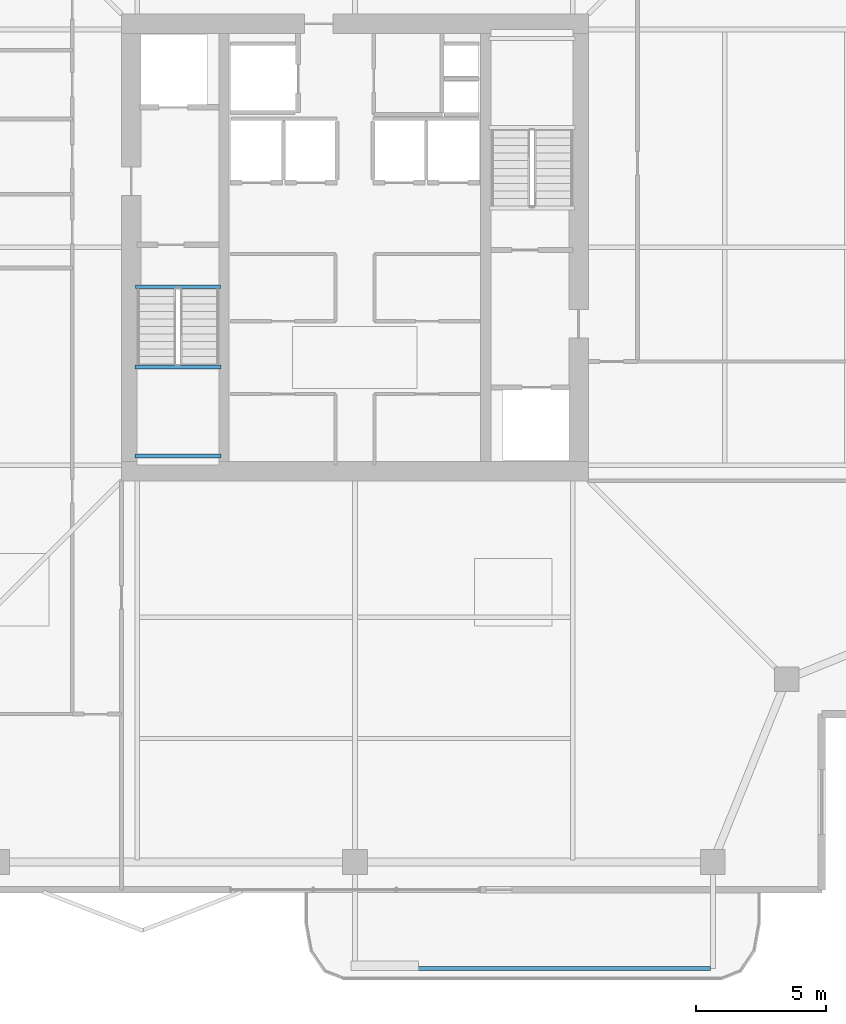
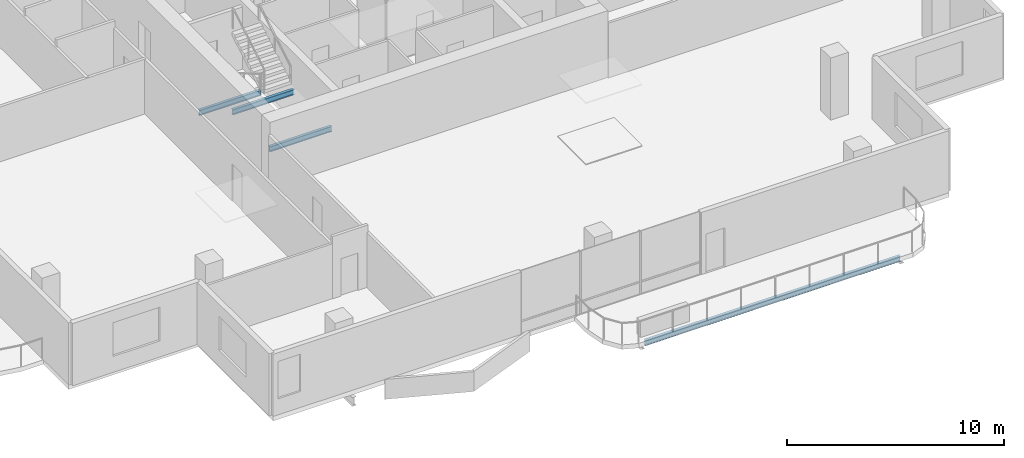
# One storey, part 7 of 24: 4 beams.
"""IFC4 building model written with IfcOpenShell, lengths in metres."""

from ifc_helpers import new_model, si_unit, direction, frame, origin, origin_2d, place, context, subcontext, project, spatial, i_section, extrude, material, material_profile, profile_set, type_object, element, save


model = new_model("IFC4")

# Units and contexts
model_context = context("Model", 3, precision=1e-05, world=origin(), true_north=direction((0.0, 1.0)))
body_context = subcontext(model_context, "Body", "Model", "MODEL_VIEW")
ifc_project = project(units=[si_unit("LENGTHUNIT", "METRE"), si_unit("AREAUNIT", "SQUARE_METRE"), si_unit("VOLUMEUNIT", "CUBIC_METRE"), si_unit("PLANEANGLEUNIT", "RADIAN"), si_unit("MASSUNIT", "GRAM", prefix="KILO")], contexts=[model_context])

# Site, building, storey
site_placement = place(None, origin())
site = spatial("IfcSite", under=ifc_project, at=site_placement, CompositionType="ELEMENT")
building_placement = place(site_placement, origin())
building = spatial("IfcBuilding", under=site, at=building_placement, Name="Belovzor Exchange Tower", CompositionType="ELEMENT")
storey_placement = place(building_placement, frame((0.0, 0.0, 261.60009765625)))
storey = spatial("IfcBuildingStorey", under=building, at=storey_placement, Name="L65", CompositionType="ELEMENT", Elevation=261.60009765625)

# Beams
ifc_material_1 = material(Name="Steel S355", Category="steel")
ifc_material_profile_1 = material_profile(ifc_material_1, i_section(OverallWidth=0.14990234375, OverallDepth=0.300048828125, WebThickness=0.007080078125, FlangeThickness=0.0107421875, at=origin_2d()))
ifc_profile_set_1 = profile_set([ifc_material_profile_1], Name="Steel S355")
beam_type_1 = type_object("IfcBeamType", Name="Planted Balcony Fascia Edge Beam IPE 300", PredefinedType="BEAM", material=ifc_profile_set_1)
beam_1_placement = place(storey_placement, frame((28.89990234375, 0.989013671875, -0.400146484375), z_axis=(1.0, 0.0, 0.0), x_axis=(0.0, 1.0, 0.0)))
element("IfcBeam", 1, at=beam_1_placement, inside=storey, type_object=beam_type_1, Name="BC-300 Planted Balcony Fascia Edge Beam IPE 300", PredefinedType="BEAM", context=body_context, shape_type="SweptSolid", body=[
    extrude(i_section(OverallWidth=0.14990234375, OverallDepth=0.300048828125, WebThickness=0.007080078125, FlangeThickness=0.0107421875, at=origin_2d()), origin(), (0.0, 0.0, 1.0), 13.60009765625),
])
ifc_material_2 = material(Name="Steel S355", Category="steel")
ifc_material_profile_2 = material_profile(ifc_material_2, i_section(OverallWidth=0.14990234375, OverallDepth=0.300048828125, WebThickness=0.007080078125, FlangeThickness=0.0107421875, at=origin_2d()))
ifc_profile_set_2 = profile_set([ifc_material_profile_2], Name="Steel S355")
beam_type_2 = type_object("IfcBeamType", Name="Secondary Trim Floor Joist IPE 300", PredefinedType="BEAM", material=ifc_profile_set_2)
for number, where, z_axis, x_axis, name in (
    (2, (20.320068359375, 24.179931640625, 1.52490234375), (1.0, 0.0, 0.0), (0.0, 1.0, 0.0), "FJ-300 Secondary Trim Floor Joist IPE 300"),
    (3, (20.320068359375, 20.75, 1.52490234375), (1.0, 0.0, 0.0), (0.0, 1.0, 0.0), "FJ-300 Secondary Trim Floor Joist IPE 300"),
):
    element("IfcBeam", number, at=place(storey_placement, frame(where, z_axis=z_axis, x_axis=x_axis)), inside=storey, type_object=beam_type_2, Name=name, PredefinedType="BEAM", context=body_context, shape_type="SweptSolid", body=[
        extrude(i_section(OverallWidth=0.14990234375, OverallDepth=0.300048828125, WebThickness=0.007080078125, FlangeThickness=0.0107421875, at=origin_2d()), origin(), (0.0, 0.0, 1.0), 3.309814453125),
    ])
beam_2_placement = place(storey_placement, frame((20.340087890625, 27.280029296875, -0.400146484375), z_axis=(1.0, 0.0, 0.0), x_axis=(0.0, 1.0, 0.0)))
element("IfcBeam", 4, at=beam_2_placement, inside=storey, type_object=beam_type_2, Name="FJ-300 Secondary Trim Floor Joist IPE 300", PredefinedType="BEAM", context=body_context, shape_type="SweptSolid", body=[
    extrude(i_section(OverallWidth=0.14990234375, OverallDepth=0.300048828125, WebThickness=0.007080078125, FlangeThickness=0.0107421875, at=origin_2d()), origin(), (0.0, 0.0, 1.0), 3.27001953125),
])

save(model, "model.ifc")
